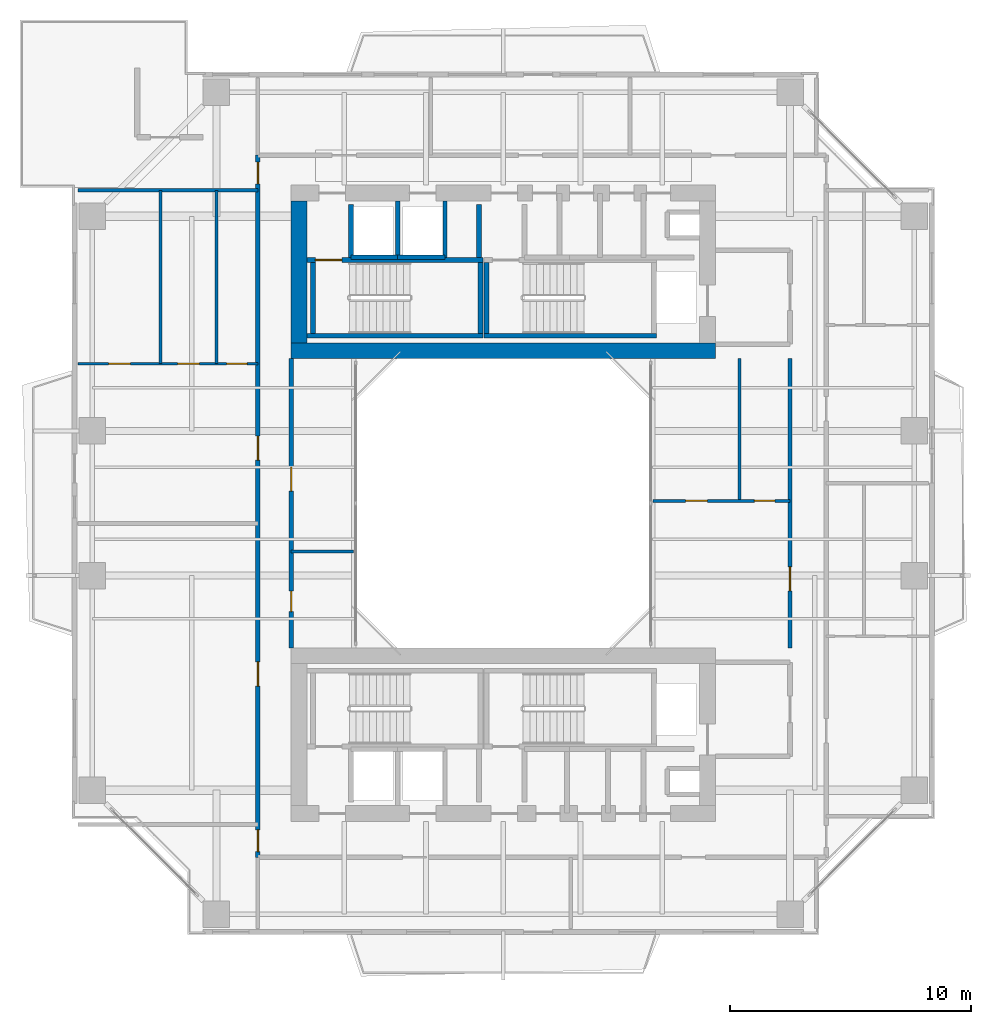
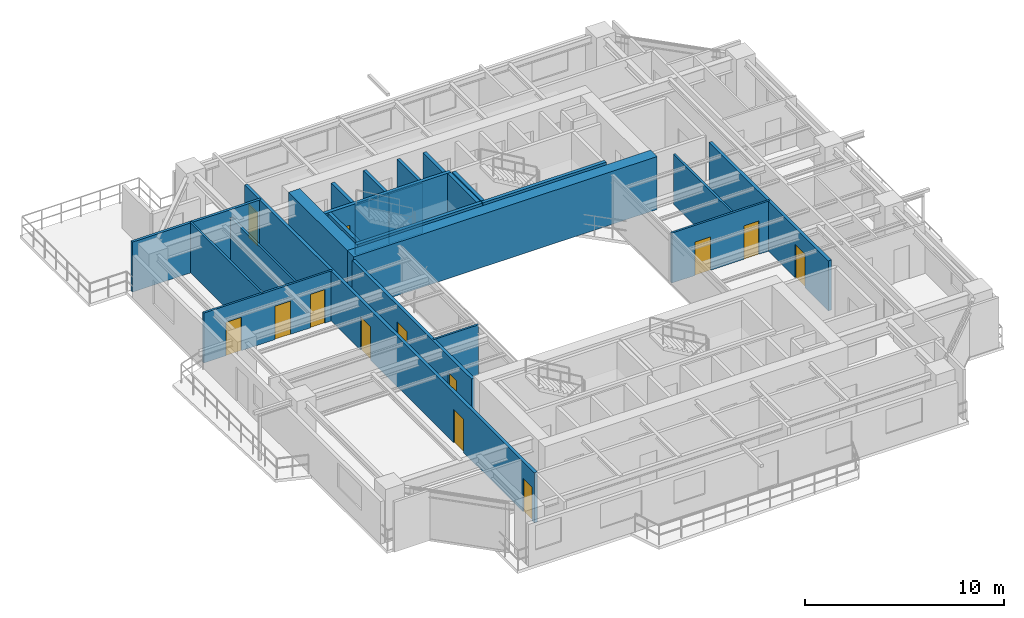
# One storey, part 11 of 17: 24 walls, 13 doors, 13 openings.
"""IFC4 building model written with IfcOpenShell, lengths in metres."""

from ifc_helpers import new_model, si_unit, direction, frame, frame_2d, origin, place, context, subcontext, project, spatial, rectangle, extrude, source, transform, mapped, material, layer, layer_set, type_object, element, fill, save


model = new_model("IFC4")

# Units and contexts
model_context = context("Model", 3, precision=1e-05, world=origin(), true_north=direction((0.0, 1.0)))
body_context = subcontext(model_context, "Body", "Model", "MODEL_VIEW")
ifc_project = project(units=[si_unit("LENGTHUNIT", "METRE"), si_unit("AREAUNIT", "SQUARE_METRE"), si_unit("VOLUMEUNIT", "CUBIC_METRE"), si_unit("PLANEANGLEUNIT", "RADIAN"), si_unit("MASSUNIT", "GRAM", prefix="KILO"), si_unit("THERMODYNAMICTEMPERATUREUNIT", "KELVIN"), si_unit("POWERUNIT", "WATT")], contexts=[model_context])

# Site, building, storey
site_placement = place(None, origin())
site = spatial("IfcSite", under=ifc_project, at=site_placement, CompositionType="ELEMENT")
building_placement = place(site_placement, origin())
building = spatial("IfcBuilding", under=site, at=building_placement, Name="Qiaomeng Ring Towers", CompositionType="ELEMENT")
storey_placement = place(building_placement, frame((0.0, 0.0, 132.75)))
storey = spatial("IfcBuildingStorey", under=building, at=storey_placement, Name="L38", CompositionType="ELEMENT", Elevation=132.75)

# Walls
ifc_material_1 = material(Name="Autoclaved aerated concrete block", Category="concrete")
ifc_layer_1 = layer(ifc_material_1, 0.199951171875, Name="Autoclaved aerated concrete block")
ifc_layer_set_1 = layer_set([ifc_layer_1], Name="Autoclaved aerated concrete block")
wall_type_1 = type_object("IfcWallType", Name="ARC-WL-PW1", PredefinedType="PARTITIONING", material=ifc_layer_set_1)
for number, where, z_axis, x_axis, name in (
    (1, (12.679931640625, 33.18994140625, 0.0), (0.0, 0.0, 1.0), (0.0, 1.0, 0.0), "L38 Interior Wall PW1"),
    (2, (18.0, 33.18994140625, 0.0), (0.0, 0.0, 1.0), (0.0, 1.0, 0.0), "L38 Interior Wall PW1"),
):
    element("IfcWall", number, at=place(storey_placement, frame(where, z_axis=z_axis, x_axis=x_axis)), inside=storey, type_object=wall_type_1, Name=name, PredefinedType="PARTITIONING", context=body_context, shape_type="SweptSolid", body=[
        extrude(rectangle(XDim=2.2099609375, YDim=0.199951171875, at=frame_2d((1.10498046875, 0.0))), origin(), (0.0, 0.0, 1.0), 3.070068359375),
    ])

# Wall, openings, doors
ifc_layer_2 = layer(ifc_material_1, 0.179931640625, Name="Autoclaved aerated concrete block")
ifc_layer_set_2 = layer_set([ifc_layer_2], Name="Autoclaved aerated concrete block")
wall_type_2 = type_object("IfcWallType", Name="ARC-WL-PW2", PredefinedType="PARTITIONING", material=ifc_layer_set_2)
wall_1_placement = place(storey_placement, frame((8.820068359375, 8.31005859375, 0.0), z_axis=(0.0, 0.0, 1.0), x_axis=(0.0, 1.0, 0.0)))
wall_1 = element("IfcWall", 3, at=wall_1_placement, inside=storey, type_object=wall_type_2, Name="L38 Interior Wall PW2", PredefinedType="PARTITIONING", context=body_context, shape_type="SweptSolid", body=[
    extrude(rectangle(XDim=29.1298828125, YDim=0.179931640625, at=frame_2d((14.56494140625, 0.0))), origin(), (0.0, 0.0, 1.0), 3.070068359375),
])
opening_1_placement = place(wall_1_placement, frame((27.93994140625, 0.0, 0.0)))
opening_1 = element("IfcOpeningElement", 4, at=opening_1_placement, cuts=wall_1, Name="Opening ID1", PredefinedType="OPENING", context=body_context, shape_type="SweptSolid", body=[
    extrude(rectangle(XDim=0.89990234375, YDim=2.050048828125, at=frame_2d((0.449951171875, 1.02490234375))), frame((0.0, 0.099853515625, 0.0), z_axis=(0.0, -1.0, 0.0), x_axis=(1.0, 0.0, 0.0)), (0.0, 0.0, 1.0), 0.199951171875),
])
opening_2_placement = place(wall_1_placement, frame((0.239990234375, 0.0, 0.0)))
opening_2 = element("IfcOpeningElement", 5, at=opening_2_placement, cuts=wall_1, Name="Opening ID1", PredefinedType="OPENING", context=body_context, shape_type="SweptSolid", body=[
    extrude(rectangle(XDim=0.89990234375, YDim=2.050048828125, at=frame_2d((0.449951171875, 1.02490234375))), frame((0.0, 0.099853515625, 0.0), z_axis=(0.0, -1.0, 0.0), x_axis=(1.0, 0.0, 0.0)), (0.0, 0.0, 1.0), 0.199951171875),
])
opening_3_placement = place(wall_1_placement, frame((7.10498046875, 0.0, 0.0)))
opening_3 = element("IfcOpeningElement", 6, at=opening_3_placement, cuts=wall_1, Name="Opening FD4", PredefinedType="OPENING", context=body_context, shape_type="SweptSolid", body=[
    extrude(rectangle(XDim=1.0, YDim=2.050048828125, at=frame_2d((0.5, 1.02490234375))), frame((0.0, 0.099853515625, 0.0), z_axis=(0.0, -1.0, 0.0), x_axis=(1.0, 0.0, 0.0)), (0.0, 0.0, 1.0), 0.199951171875),
])
opening_4_placement = place(wall_1_placement, frame((16.47509765625, 0.0, 0.0)))
opening_4 = element("IfcOpeningElement", 7, at=opening_4_placement, cuts=wall_1, Name="Opening FD4", PredefinedType="OPENING", context=body_context, shape_type="SweptSolid", body=[
    extrude(rectangle(XDim=1.0, YDim=2.050048828125, at=frame_2d((0.5, 1.02490234375))), frame((0.0, 0.099853515625, 0.0), z_axis=(0.0, -1.0, 0.0), x_axis=(1.0, 0.0, 0.0)), (0.0, 0.0, 1.0), 0.199951171875),
])
ifc_material_2 = material(Name="Engineered fire-rated oak timber", Category="wood")
door_type_1 = type_object("IfcDoorType", Name="ARC-DR-FD4", OperationType="NOTDEFINED", PredefinedType="DOOR", material=ifc_material_2)
shared_shape_1 = source(origin(), body_context, "Body", "SweptSolid", [
    extrude(rectangle(XDim=1.0, YDim=2.050048828125, at=frame_2d((0.5, 1.02490234375))), frame((0.0, 0.02490234375, 0.0), z_axis=(0.0, -1.0, 0.0), x_axis=(1.0, 0.0, 0.0)), (0.0, 0.0, 1.0), 0.050048828125),
])
door_1_placement = place(opening_3_placement, origin())
door_1 = element("IfcDoor", 8, at=door_1_placement, inside=storey, type_object=door_type_1, Name="L38 Door FD4", OperationType="SINGLE_SWING_RIGHT", OverallHeight=2.050048828125, OverallWidth=1.0, PredefinedType="DOOR", context=body_context, shape_type="MappedRepresentation", body=[
    mapped(shared_shape_1, transform((0.0, 0.0, 0.0), x_axis=(1.0, 0.0, 0.0), y_axis=(0.0, 1.0, 0.0), z_axis=(0.0, 0.0, 1.0), scale=1.0)),
])
fill(opening_3, door_1)
door_2_placement = place(opening_4_placement, origin())
door_2 = element("IfcDoor", 9, at=door_2_placement, inside=storey, type_object=door_type_1, Name="L38 Door FD4", OperationType="SINGLE_SWING_RIGHT", OverallHeight=2.050048828125, OverallWidth=1.0, PredefinedType="DOOR", context=body_context, shape_type="MappedRepresentation", body=[
    mapped(shared_shape_1, transform((0.0, 0.0, 0.0), x_axis=(1.0, 0.0, 0.0), y_axis=(0.0, 1.0, 0.0), z_axis=(0.0, 0.0, 1.0), scale=1.0)),
])
fill(opening_4, door_2)
ifc_material_3 = material(Name="Engineered oak timber", Category="wood")
door_type_2 = type_object("IfcDoorType", Name="ARC-DR-ID1", OperationType="NOTDEFINED", PredefinedType="DOOR", material=ifc_material_3)
shared_shape_2 = source(origin(), body_context, "Body", "SweptSolid", [
    extrude(rectangle(XDim=0.89990234375, YDim=2.050048828125, at=frame_2d((0.449951171875, 1.02490234375))), frame((0.0, 0.02490234375, 0.0), z_axis=(0.0, -1.0, 0.0), x_axis=(1.0, 0.0, 0.0)), (0.0, 0.0, 1.0), 0.050048828125),
])
door_3_placement = place(opening_1_placement, origin())
door_3 = element("IfcDoor", 10, at=door_3_placement, inside=storey, type_object=door_type_2, Name="L38 Door ID1", OperationType="SINGLE_SWING_RIGHT", OverallHeight=2.050048828125, OverallWidth=0.89990234375, PredefinedType="DOOR", context=body_context, shape_type="MappedRepresentation", body=[
    mapped(shared_shape_2, transform((0.0, 0.0, 0.0), x_axis=(1.0, 0.0, 0.0), y_axis=(0.0, 1.0, 0.0), z_axis=(0.0, 0.0, 1.0), scale=1.0)),
])
fill(opening_1, door_3)
door_4_placement = place(opening_2_placement, origin())
door_4 = element("IfcDoor", 11, at=door_4_placement, inside=storey, type_object=door_type_2, Name="L38 Door ID1", OperationType="SINGLE_SWING_LEFT", OverallHeight=2.050048828125, OverallWidth=0.89990234375, PredefinedType="DOOR", context=body_context, shape_type="MappedRepresentation", body=[
    mapped(shared_shape_2, transform((0.0, 0.0, 0.0), x_axis=(1.0, 0.0, 0.0), y_axis=(0.0, 1.0, 0.0), z_axis=(0.0, 0.0, 1.0), scale=1.0)),
])
fill(opening_2, door_4)

wall_2_placement = place(storey_placement, frame((10.199951171875, 17.0, 0.0), z_axis=(0.0, 0.0, 1.0), x_axis=(0.0, 1.0, 0.0)))
wall_2 = element("IfcWall", 12, at=wall_2_placement, inside=storey, type_object=wall_type_2, Name="L38 Interior Wall PW2", PredefinedType="PARTITIONING", context=body_context, shape_type="SweptSolid", body=[
    extrude(rectangle(XDim=12.0, YDim=0.179931640625, at=frame_2d((6.0, 0.0))), origin(), (0.0, 0.0, 1.0), 3.070068359375),
])
opening_5_placement = place(wall_2_placement, frame((1.5, 0.0, 0.0)))
opening_5 = element("IfcOpeningElement", 13, at=opening_5_placement, cuts=wall_2, Name="Opening ID2", PredefinedType="OPENING", context=body_context, shape_type="SweptSolid", body=[
    extrude(rectangle(XDim=0.85009765625, YDim=2.050048828125, at=frame_2d((0.425048828125, 1.02490234375))), frame((0.0, 0.099853515625, 0.0), z_axis=(0.0, -1.0, 0.0), x_axis=(1.0, 0.0, 0.0)), (0.0, 0.0, 1.0), 0.199951171875),
])
opening_6_placement = place(wall_2_placement, frame((6.5, 0.0, 0.0)))
opening_6 = element("IfcOpeningElement", 14, at=opening_6_placement, cuts=wall_2, Name="Opening FD4", PredefinedType="OPENING", context=body_context, shape_type="SweptSolid", body=[
    extrude(rectangle(XDim=1.0, YDim=2.050048828125, at=frame_2d((0.5, 1.02490234375))), frame((0.0, 0.099853515625, 0.0), z_axis=(0.0, -1.0, 0.0), x_axis=(1.0, 0.0, 0.0)), (0.0, 0.0, 1.0), 0.199951171875),
])
door_5_placement = place(opening_6_placement, origin())
door_5 = element("IfcDoor", 15, at=door_5_placement, inside=storey, type_object=door_type_1, Name="L38 Door FD4", OperationType="SINGLE_SWING_RIGHT", OverallHeight=2.050048828125, OverallWidth=1.0, PredefinedType="DOOR", context=body_context, shape_type="MappedRepresentation", body=[
    mapped(shared_shape_1, transform((0.0, 0.0, 0.0), x_axis=(1.0, 0.0, 0.0), y_axis=(0.0, 1.0, 0.0), z_axis=(0.0, 0.0, 1.0), scale=1.0)),
])
fill(opening_6, door_5)
ifc_material_4 = material(Name="Moisture-resistant engineered timber", Category="wood")
door_type_3 = type_object("IfcDoorType", Name="ARC-DR-ID2", OperationType="NOTDEFINED", PredefinedType="DOOR", material=ifc_material_4)
shared_shape_3 = source(origin(), body_context, "Body", "SweptSolid", [
    extrude(rectangle(XDim=0.85009765625, YDim=2.050048828125, at=frame_2d((0.425048828125, 1.02490234375))), frame((0.0, 0.02490234375, 0.0), z_axis=(0.0, -1.0, 0.0), x_axis=(1.0, 0.0, 0.0)), (0.0, 0.0, 1.0), 0.050048828125),
])
door_6_placement = place(opening_5_placement, origin())
door_6 = element("IfcDoor", 16, at=door_6_placement, inside=storey, type_object=door_type_3, Name="L38 Door ID2", OperationType="SINGLE_SWING_LEFT", OverallHeight=2.050048828125, OverallWidth=0.85009765625, PredefinedType="DOOR", context=body_context, shape_type="MappedRepresentation", body=[
    mapped(shared_shape_3, transform((0.0, 0.0, 0.0), x_axis=(1.0, 0.0, 0.0), y_axis=(0.0, 1.0, 0.0), z_axis=(0.0, 0.0, 1.0), scale=1.0)),
])
fill(opening_5, door_6)

# Wall, opening, door
wall_3_placement = place(storey_placement, frame((30.89990234375, 17.0, 0.0), z_axis=(0.0, 0.0, 1.0), x_axis=(0.0, 1.0, 0.0)))
wall_3 = element("IfcWall", 17, at=wall_3_placement, inside=storey, type_object=wall_type_2, Name="L38 Interior Wall PW2", PredefinedType="PARTITIONING", context=body_context, shape_type="SweptSolid", body=[
    extrude(rectangle(XDim=12.0, YDim=0.179931640625, at=frame_2d((6.0, 0.0))), origin(), (0.0, 0.0, 1.0), 3.070068359375),
])
opening_7_placement = place(wall_3_placement, frame((2.360107421875, 0.0, 0.0)))
opening_7 = element("IfcOpeningElement", 18, at=opening_7_placement, cuts=wall_3, Name="Opening FD4", PredefinedType="OPENING", context=body_context, shape_type="SweptSolid", body=[
    extrude(rectangle(XDim=1.0, YDim=2.050048828125, at=frame_2d((0.5, 1.02490234375))), frame((0.0, 0.099853515625, 0.0), z_axis=(0.0, -1.0, 0.0), x_axis=(1.0, 0.0, 0.0)), (0.0, 0.0, 1.0), 0.199951171875),
])
door_7_placement = place(opening_7_placement, origin())
door_7 = element("IfcDoor", 19, at=door_7_placement, inside=storey, type_object=door_type_1, Name="L38 Door FD4", OperationType="SINGLE_SWING_LEFT", OverallHeight=2.050048828125, OverallWidth=1.0, PredefinedType="DOOR", context=body_context, shape_type="MappedRepresentation", body=[
    mapped(shared_shape_1, transform((0.0, 0.0, 0.0), x_axis=(1.0, 0.0, 0.0), y_axis=(0.0, 1.0, 0.0), z_axis=(0.0, 0.0, 1.0), scale=1.0)),
])
fill(opening_7, door_7)

# Wall
ifc_material_5 = material(Name="Gypsum fireboard steel-stud partition", Category="steel")
ifc_layer_3 = layer(ifc_material_5, 0.14990234375, Name="Gypsum fireboard steel-stud partition")
ifc_layer_set_3 = layer_set([ifc_layer_3], Name="Gypsum fireboard steel-stud partition")
wall_type_3 = type_object("IfcWallType", Name="ARC-WL-PW3", PredefinedType="PARTITIONING", material=ifc_layer_set_3)
wall_4_placement = place(storey_placement, frame((1.35009765625, 35.97998046875, 0.0), z_axis=(0.0, 0.0, 1.0), x_axis=(1.0, 0.0, 0.0)))
element("IfcWall", 20, at=wall_4_placement, inside=storey, type_object=wall_type_3, Name="L38 Interior Wall PW3", PredefinedType="PARTITIONING", context=body_context, shape_type="SweptSolid", body=[
    extrude(rectangle(XDim=7.469970703125, YDim=0.14990234375, at=frame_2d((3.73486328125, 0.0))), origin(), (0.0, 0.0, 1.0), 3.070068359375),
])

# Wall, openings, doors
ifc_material_6 = material(Name="Moisture-resistant gypsum steel-stud partition", Category="steel")
ifc_layer_4 = layer(ifc_material_6, 0.1201171875, Name="Moisture-resistant gypsum steel-stud partition")
ifc_layer_set_4 = layer_set([ifc_layer_4], Name="Moisture-resistant gypsum steel-stud partition")
wall_type_4 = type_object("IfcWallType", Name="ARC-WL-PW4", PredefinedType="PLUMBINGWALL", material=ifc_layer_set_4)
wall_5_placement = place(storey_placement, frame((1.35009765625, 28.7900390625, 0.0), z_axis=(0.0, 0.0, 1.0), x_axis=(1.0, 0.0, 0.0)))
wall_5 = element("IfcWall", 21, at=wall_5_placement, inside=storey, type_object=wall_type_4, Name="L38 Interior Wall PW4", PredefinedType="PLUMBINGWALL", context=body_context, shape_type="SweptSolid", body=[
    extrude(rectangle(XDim=7.469970703125, YDim=0.1201171875, at=frame_2d((3.73486328125, 0.0))), origin(), (0.0, 0.0, 1.0), 3.070068359375),
])
opening_8_placement = place(wall_5_placement, frame((1.27490234375, 0.0, 0.0)))
opening_8 = element("IfcOpeningElement", 22, at=opening_8_placement, cuts=wall_5, Name="Opening ID1", PredefinedType="OPENING", context=body_context, shape_type="SweptSolid", body=[
    extrude(rectangle(XDim=0.89990234375, YDim=2.050048828125, at=frame_2d((0.449951171875, 1.02490234375))), frame((0.0, 0.070068359375, 0.0), z_axis=(0.0, -1.0, 0.0), x_axis=(1.0, 0.0, 0.0)), (0.0, 0.0, 1.0), 0.14013671875),
])
opening_9_placement = place(wall_5_placement, frame((4.139892578125, 0.0, 0.0)))
opening_9 = element("IfcOpeningElement", 23, at=opening_9_placement, cuts=wall_5, Name="Opening ID1", PredefinedType="OPENING", context=body_context, shape_type="SweptSolid", body=[
    extrude(rectangle(XDim=0.89990234375, YDim=2.050048828125, at=frame_2d((0.449951171875, 1.02490234375))), frame((0.0, 0.070068359375, 0.0), z_axis=(0.0, -1.0, 0.0), x_axis=(1.0, 0.0, 0.0)), (0.0, 0.0, 1.0), 0.14013671875),
])
opening_10_placement = place(wall_5_placement, frame((6.175048828125, 0.0, 0.0)))
opening_10 = element("IfcOpeningElement", 24, at=opening_10_placement, cuts=wall_5, Name="Opening ID2", PredefinedType="OPENING", context=body_context, shape_type="SweptSolid", body=[
    extrude(rectangle(XDim=0.85009765625, YDim=2.050048828125, at=frame_2d((0.425048828125, 1.02490234375))), frame((0.0, 0.070068359375, 0.0), z_axis=(0.0, -1.0, 0.0), x_axis=(1.0, 0.0, 0.0)), (0.0, 0.0, 1.0), 0.14013671875),
])
door_8_placement = place(opening_10_placement, origin())
door_8 = element("IfcDoor", 25, at=door_8_placement, inside=storey, type_object=door_type_3, Name="L38 Door ID2", OperationType="SINGLE_SWING_LEFT", OverallHeight=2.050048828125, OverallWidth=0.85009765625, PredefinedType="DOOR", context=body_context, shape_type="MappedRepresentation", body=[
    mapped(shared_shape_3, transform((0.0, 0.0, 0.0), x_axis=(1.0, 0.0, 0.0), y_axis=(0.0, 1.0, 0.0), z_axis=(0.0, 0.0, 1.0), scale=1.0)),
])
fill(opening_10, door_8)
door_9_placement = place(opening_8_placement, origin())
door_9 = element("IfcDoor", 26, at=door_9_placement, inside=storey, type_object=door_type_2, Name="L38 Door ID1", OperationType="SINGLE_SWING_LEFT", OverallHeight=2.050048828125, OverallWidth=0.89990234375, PredefinedType="DOOR", context=body_context, shape_type="MappedRepresentation", body=[
    mapped(shared_shape_2, transform((0.0, 0.0, 0.0), x_axis=(1.0, 0.0, 0.0), y_axis=(0.0, 1.0, 0.0), z_axis=(0.0, 0.0, 1.0), scale=1.0)),
])
fill(opening_8, door_9)
door_10_placement = place(opening_9_placement, origin())
door_10 = element("IfcDoor", 27, at=door_10_placement, inside=storey, type_object=door_type_2, Name="L38 Door ID1", OperationType="SINGLE_SWING_RIGHT", OverallHeight=2.050048828125, OverallWidth=0.89990234375, PredefinedType="DOOR", context=body_context, shape_type="MappedRepresentation", body=[
    mapped(shared_shape_2, transform((0.0, 0.0, 0.0), x_axis=(1.0, 0.0, 0.0), y_axis=(0.0, 1.0, 0.0), z_axis=(0.0, 0.0, 1.0), scale=1.0)),
])
fill(opening_9, door_10)

# Walls
wall_6_placement = place(storey_placement, frame((4.780029296875, 28.7900390625, 0.0), z_axis=(0.0, 0.0, 1.0), x_axis=(0.0, 1.0, 0.0)))
element("IfcWall", 28, at=wall_6_placement, inside=storey, type_object=wall_type_4, Name="L38 Interior Wall PW4", PredefinedType="PLUMBINGWALL", context=body_context, shape_type="SweptSolid", body=[
    extrude(rectangle(XDim=7.18994140625, YDim=0.1201171875, at=frame_2d((3.594970703125, 0.0))), origin(), (0.0, 0.0, 1.0), 3.070068359375),
])
wall_7_placement = place(storey_placement, frame((7.10009765625, 28.7900390625, 0.0), z_axis=(0.0, 0.0, 1.0), x_axis=(0.0, 1.0, 0.0)))
element("IfcWall", 29, at=wall_7_placement, inside=storey, type_object=wall_type_4, Name="L38 Interior Wall PW4", PredefinedType="PLUMBINGWALL", context=body_context, shape_type="SweptSolid", body=[
    extrude(rectangle(XDim=7.18994140625, YDim=0.1201171875, at=frame_2d((3.594970703125, 0.0))), origin(), (0.0, 0.0, 1.0), 2.576904296875),
])
wall_8_placement = place(storey_placement, frame((10.199951171875, 21.0, 0.0), z_axis=(0.0, 0.0, 1.0), x_axis=(1.0, 0.0, 0.0)))
element("IfcWall", 30, at=wall_8_placement, inside=storey, type_object=wall_type_4, Name="L38 Interior Wall PW4", PredefinedType="PLUMBINGWALL", context=body_context, shape_type="SweptSolid", body=[
    extrude(rectangle(XDim=2.580078125, YDim=0.1201171875, at=frame_2d((1.2900390625, 0.0))), origin(), (0.0, 0.0, 1.0), 3.070068359375),
])

# Wall, openings, doors
wall_9_placement = place(storey_placement, frame((25.219970703125, 23.10009765625, 0.0), z_axis=(0.0, 0.0, 1.0), x_axis=(1.0, 0.0, 0.0)))
wall_9 = element("IfcWall", 31, at=wall_9_placement, inside=storey, type_object=wall_type_4, Name="L38 Interior Wall PW4", PredefinedType="PLUMBINGWALL", context=body_context, shape_type="SweptSolid", body=[
    extrude(rectangle(XDim=5.679931640625, YDim=0.1201171875, at=frame_2d((2.83984375, 0.0))), origin(), (0.0, 0.0, 1.0), 3.070068359375),
])
opening_11_placement = place(wall_9_placement, frame((1.35009765625, 0.0, 0.0)))
opening_11 = element("IfcOpeningElement", 32, at=opening_11_placement, cuts=wall_9, Name="Opening ID1", PredefinedType="OPENING", context=body_context, shape_type="SweptSolid", body=[
    extrude(rectangle(XDim=0.89990234375, YDim=2.050048828125, at=frame_2d((0.449951171875, 1.02490234375))), frame((0.0, 0.070068359375, 0.0), z_axis=(0.0, -1.0, 0.0), x_axis=(1.0, 0.0, 0.0)), (0.0, 0.0, 1.0), 0.14013671875),
])
opening_12_placement = place(wall_9_placement, frame((4.195068359375, 0.0, 0.0)))
opening_12 = element("IfcOpeningElement", 33, at=opening_12_placement, cuts=wall_9, Name="Opening ID2", PredefinedType="OPENING", context=body_context, shape_type="SweptSolid", body=[
    extrude(rectangle(XDim=0.85009765625, YDim=2.050048828125, at=frame_2d((0.425048828125, 1.02490234375))), frame((0.0, 0.070068359375, 0.0), z_axis=(0.0, -1.0, 0.0), x_axis=(1.0, 0.0, 0.0)), (0.0, 0.0, 1.0), 0.14013671875),
])
door_11_placement = place(opening_12_placement, origin())
door_11 = element("IfcDoor", 34, at=door_11_placement, inside=storey, type_object=door_type_3, Name="L38 Door ID2", OperationType="SINGLE_SWING_RIGHT", OverallHeight=2.050048828125, OverallWidth=0.85009765625, PredefinedType="DOOR", context=body_context, shape_type="MappedRepresentation", body=[
    mapped(shared_shape_3, transform((0.0, 0.0, 0.0), x_axis=(1.0, 0.0, 0.0), y_axis=(0.0, 1.0, 0.0), z_axis=(0.0, 0.0, 1.0), scale=1.0)),
])
fill(opening_12, door_11)
door_12_placement = place(opening_11_placement, origin())
door_12 = element("IfcDoor", 35, at=door_12_placement, inside=storey, type_object=door_type_2, Name="L38 Door ID1", OperationType="SINGLE_SWING_LEFT", OverallHeight=2.050048828125, OverallWidth=0.89990234375, PredefinedType="DOOR", context=body_context, shape_type="MappedRepresentation", body=[
    mapped(shared_shape_2, transform((0.0, 0.0, 0.0), x_axis=(1.0, 0.0, 0.0), y_axis=(0.0, 1.0, 0.0), z_axis=(0.0, 0.0, 1.0), scale=1.0)),
])
fill(opening_11, door_12)

# Walls
wall_10_placement = place(storey_placement, frame((28.800048828125, 23.10009765625, 0.0), z_axis=(0.0, 0.0, 1.0), x_axis=(0.0, 1.0, 0.0)))
element("IfcWall", 36, at=wall_10_placement, inside=storey, type_object=wall_type_4, Name="L38 Interior Wall PW4", PredefinedType="PLUMBINGWALL", context=body_context, shape_type="SweptSolid", body=[
    extrude(rectangle(XDim=5.89990234375, YDim=0.1201171875, at=frame_2d((2.949951171875, 0.0))), origin(), (0.0, 0.0, 1.0), 3.070068359375),
])
ifc_material_7 = material(Name="Concrete C40", Category="concrete")
ifc_layer_5 = layer(ifc_material_7, 0.199951171875, Name="Concrete C40")
ifc_layer_set_5 = layer_set([ifc_layer_5], Name="Concrete C40")
wall_type_5 = type_object("IfcWallType", Name="STR-WL-STSHAFT", PredefinedType="SHEAR", material=ifc_layer_set_5)
wall_11_placement = place(storey_placement, frame((12.679931640625, 33.199951171875, 0.0), z_axis=(0.0, 0.0, 1.0), x_axis=(1.0, 0.0, 0.0)))
element("IfcWall", 37, at=wall_11_placement, inside=storey, type_object=wall_type_5, Name="L38 Lift LP5 Shaft Back Wall", PredefinedType="SHEAR", context=body_context, shape_type="SweptSolid", body=[
    extrude(rectangle(XDim=1.940185546875, YDim=0.179931640625, at=frame_2d((0.97021484375, 0.0))), origin(), (0.0, 0.0, 1.0), 3.070068359375),
])
wall_12_placement = place(storey_placement, frame((14.6201171875, 33.199951171875, 0.0), z_axis=(0.0, 0.0, 1.0), x_axis=(0.0, 1.0, 0.0)))
element("IfcWall", 38, at=wall_12_placement, inside=storey, type_object=wall_type_5, Name="L38 Lift LP5-LP3 Shaft Divider Wall", PredefinedType="SHEAR", context=body_context, shape_type="SweptSolid", body=[
    extrude(rectangle(XDim=2.35009765625, YDim=0.179931640625, at=frame_2d((1.175048828125, 0.0))), origin(), (0.0, 0.0, 1.0), 3.070068359375),
])
wall_13_placement = place(storey_placement, frame((14.6201171875, 33.199951171875, 0.0), z_axis=(0.0, 0.0, 1.0), x_axis=(1.0, 0.0, 0.0)))
element("IfcWall", 39, at=wall_13_placement, inside=storey, type_object=wall_type_5, Name="L38 Lift LP3 Shaft Back Wall", PredefinedType="SHEAR", context=body_context, shape_type="SweptSolid", body=[
    extrude(rectangle(XDim=1.9599609375, YDim=0.179931640625, at=frame_2d((0.97998046875, 0.0))), origin(), (0.0, 0.0, 1.0), 3.070068359375),
])
wall_14_placement = place(storey_placement, frame((16.580078125, 33.199951171875, 0.0), z_axis=(0.0, 0.0, 1.0), x_axis=(0.0, 1.0, 0.0)))
element("IfcWall", 40, at=wall_14_placement, inside=storey, type_object=wall_type_5, Name="L38 Lift LP3 East Shaft Wall", PredefinedType="SHEAR", context=body_context, shape_type="SweptSolid", body=[
    extrude(rectangle(XDim=2.35009765625, YDim=0.179931640625, at=frame_2d((1.175048828125, 0.0))), origin(), (0.0, 0.0, 1.0), 3.070068359375),
])
wall_15_placement = place(storey_placement, frame((10.85009765625, 29.949951171875, 0.0), z_axis=(0.0, 0.0, 1.0), x_axis=(1.0, 0.0, 0.0)))
element("IfcWall", 41, at=wall_15_placement, inside=storey, type_object=wall_type_5, Name="L38 Stair ST1 South Shaft Shear Wall", PredefinedType="SHEAR", context=body_context, shape_type="SweptSolid", body=[
    extrude(rectangle(XDim=7.2998046875, YDim=0.199951171875, at=frame_2d((3.64990234375, 0.0))), origin(), (0.0, 0.0, 1.0), 3.25),
])

# Wall, opening, door
wall_16_placement = place(storey_placement, frame((10.85009765625, 33.090087890625, 0.0), z_axis=(0.0, 0.0, 1.0), x_axis=(1.0, 0.0, 0.0)))
wall_16 = element("IfcWall", 42, at=wall_16_placement, inside=storey, type_object=wall_type_5, Name="L38 Stair ST1 North Shaft Shear Wall", PredefinedType="SHEAR", context=body_context, shape_type="SweptSolid", body=[
    extrude(rectangle(XDim=7.2998046875, YDim=0.199951171875, at=frame_2d((3.64990234375, 0.0))), origin(), (0.0, 0.0, 1.0), 3.25),
])
opening_13_placement = place(wall_16_placement, frame((0.35009765625, 0.0, 0.0)))
opening_13 = element("IfcOpeningElement", 43, at=opening_13_placement, cuts=wall_16, Name="Opening FD3", PredefinedType="OPENING", context=body_context, shape_type="SweptSolid", body=[
    extrude(rectangle(XDim=1.10009765625, YDim=2.050048828125, at=frame_2d((0.550048828125, 1.02490234375))), frame((0.0, 0.10986328125, 0.0), z_axis=(0.0, -1.0, 0.0), x_axis=(1.0, 0.0, 0.0)), (0.0, 0.0, 1.0), 0.219970703125),
])
ifc_material_8 = material(Name="Galvanised steel", Category="steel")
door_type_4 = type_object("IfcDoorType", Name="ARC-DR-FD3", OperationType="NOTDEFINED", PredefinedType="DOOR", material=ifc_material_8)
shared_shape_4 = source(origin(), body_context, "Body", "SweptSolid", [
    extrude(rectangle(XDim=1.10009765625, YDim=2.050048828125, at=frame_2d((0.550048828125, 1.02490234375))), frame((0.0, 0.02490234375, 0.0), z_axis=(0.0, -1.0, 0.0), x_axis=(1.0, 0.0, 0.0)), (0.0, 0.0, 1.0), 0.050048828125),
])
door_13_placement = place(opening_13_placement, origin())
door_13 = element("IfcDoor", 44, at=door_13_placement, inside=storey, type_object=door_type_4, Name="L38 Stair ST1 Exit Door", OperationType="SINGLE_SWING_RIGHT", OverallHeight=2.050048828125, OverallWidth=1.10009765625, PredefinedType="DOOR", context=body_context, shape_type="MappedRepresentation", body=[
    mapped(shared_shape_4, transform((0.0, 0.0, 0.0), x_axis=(1.0, 0.0, 0.0), y_axis=(0.0, 1.0, 0.0), z_axis=(0.0, 0.0, 1.0), scale=1.0)),
])
fill(opening_13, door_13)

# Walls
for number, where, z_axis, x_axis, name in (
    (45, (11.10009765625, 30.050048828125, 0.0), (0.0, 0.0, 1.0), (0.0, 1.0, 0.0), "L38 Stair ST1 West Shaft Shear Wall"),
    (46, (18.050048828125, 30.050048828125, 0.0), (0.0, 0.0, 1.0), (0.0, 1.0, 0.0), "L38 Stair ST1 East Shaft Shear Wall"),
):
    element("IfcWall", number, at=place(storey_placement, frame(where, z_axis=z_axis, x_axis=x_axis)), inside=storey, type_object=wall_type_5, Name=name, PredefinedType="SHEAR", context=body_context, shape_type="SweptSolid", body=[
        extrude(rectangle(XDim=2.93994140625, YDim=0.199951171875, at=frame_2d((1.469970703125, 0.0))), origin(), (0.0, 0.0, 1.0), 3.25),
    ])
wall_17_placement = place(storey_placement, frame((18.199951171875, 29.949951171875, 0.0), z_axis=(0.0, 0.0, 1.0), x_axis=(1.0, 0.0, 0.0)))
element("IfcWall", 47, at=wall_17_placement, inside=storey, type_object=wall_type_5, Name="L38 Stair ST2 South Shaft Shear Wall", PredefinedType="SHEAR", context=body_context, shape_type="SweptSolid", body=[
    extrude(rectangle(XDim=7.150146484375, YDim=0.199951171875, at=frame_2d((3.5751953125, 0.0))), origin(), (0.0, 0.0, 1.0), 3.25),
])
wall_18_placement = place(storey_placement, frame((18.300048828125, 30.050048828125, 0.0), z_axis=(0.0, 0.0, 1.0), x_axis=(0.0, 1.0, 0.0)))
element("IfcWall", 48, at=wall_18_placement, inside=storey, type_object=wall_type_5, Name="L38 Stair ST2 West Shaft Shear Wall", PredefinedType="SHEAR", context=body_context, shape_type="SweptSolid", body=[
    extrude(rectangle(XDim=2.93994140625, YDim=0.199951171875, at=frame_2d((1.469970703125, 0.0))), origin(), (0.0, 0.0, 1.0), 3.25),
])
ifc_material_9 = material(Name="Concrete C55", Category="concrete")
ifc_layer_6 = layer(ifc_material_9, 0.64990234375, Name="Concrete C55")
ifc_layer_set_6 = layer_set([ifc_layer_6], Name="Concrete C55")
wall_type_6 = type_object("IfcWallType", Name="STR-WL-SW2A", PredefinedType="SHEAR", material=ifc_layer_set_6)
wall_19_placement = place(storey_placement, frame((10.199951171875, 29.324951171875, 0.0), z_axis=(0.0, 0.0, 1.0), x_axis=(1.0, 0.0, 0.0)))
element("IfcWall", 49, at=wall_19_placement, inside=storey, type_object=wall_type_6, Name="L38 T1NC south core shear wall", PredefinedType="SHEAR", context=body_context, shape_type="SweptSolid", body=[
    extrude(rectangle(XDim=17.60009765625, YDim=0.64990234375, at=frame_2d((8.800048828125, 0.0))), origin(), (0.0, 0.0, 1.0), 3.25),
])
wall_20_placement = place(storey_placement, frame((10.52490234375, 29.64990234375, 0.0), z_axis=(0.0, 0.0, 1.0), x_axis=(0.0, 1.0, 0.0)))
element("IfcWall", 50, at=wall_20_placement, inside=storey, type_object=wall_type_6, Name="L38 T1NC west core shear wall", PredefinedType="SHEAR", context=body_context, shape_type="SweptSolid", body=[
    extrude(rectangle(XDim=5.900146484375, YDim=0.64990234375, at=frame_2d((2.9501953125, 0.0))), origin(), (0.0, 0.0, 1.0), 3.25),
])

save(model, "model.ifc")
